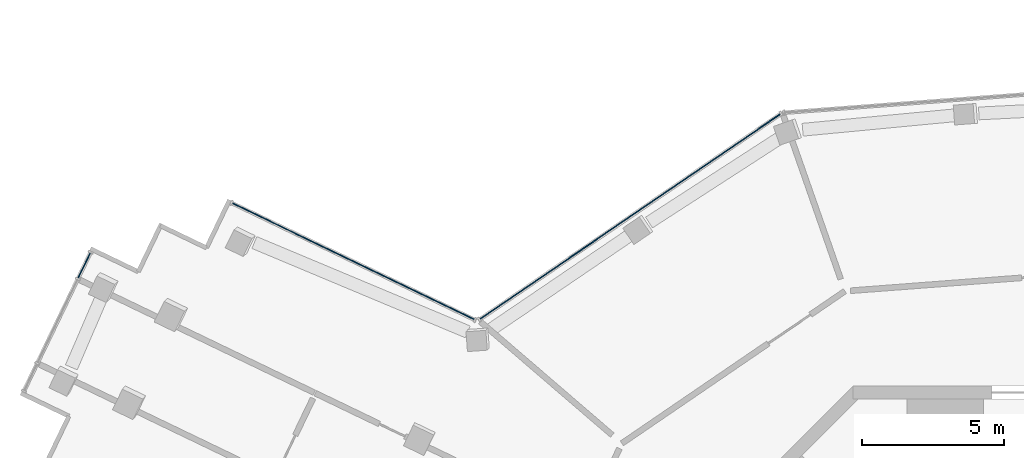
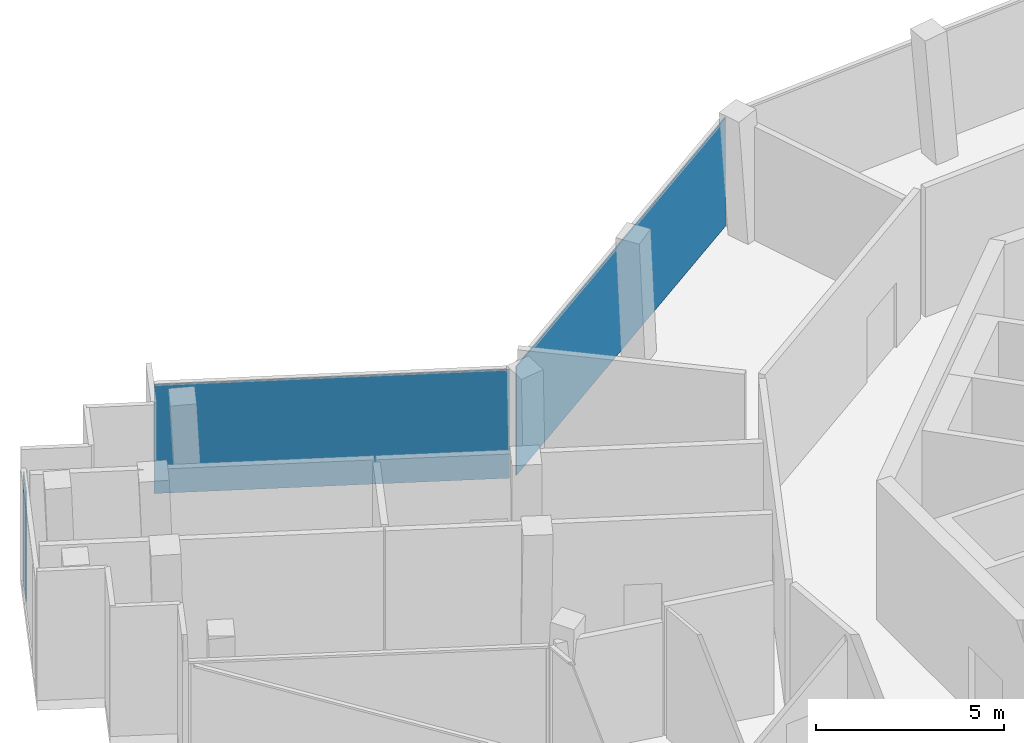
# One storey, part 10 of 19: 3 plates, 3 elements without a shape of their own.
"""IFC4 building model written with IfcOpenShell, lengths in metres."""

from ifc_helpers import new_model, si_unit, direction, frame, origin, origin_2d, place, context, subcontext, project, spatial, rectangle, extrude, material, layer, layer_set, type_object, element, aggregate, save


model = new_model("IFC4")

# Units and contexts
model_context = context("Model", 3, precision=1e-05, world=origin(), true_north=direction((0.0, 1.0)))
body_context = subcontext(model_context, "Body", "Model", "MODEL_VIEW")
ifc_project = project(units=[si_unit("LENGTHUNIT", "METRE"), si_unit("AREAUNIT", "SQUARE_METRE"), si_unit("VOLUMEUNIT", "CUBIC_METRE"), si_unit("PLANEANGLEUNIT", "RADIAN"), si_unit("MASSUNIT", "GRAM", prefix="KILO")], contexts=[model_context])

# Site, building, storey
site_placement = place(None, origin())
site = spatial("IfcSite", under=ifc_project, at=site_placement, CompositionType="ELEMENT")
building_placement = place(site_placement, origin())
building = spatial("IfcBuilding", under=site, at=building_placement, Name="Verdalira Terraces Hotel", CompositionType="ELEMENT")
storey_placement = place(building_placement, frame((0.0, 0.0, 295.0)))
storey = spatial("IfcBuildingStorey", under=building, at=storey_placement, Name="L73", CompositionType="ELEMENT", Elevation=295.0)

# Curtain wall, plate
ifc_material_1 = material(Name="Clear glass", Category="glass")
ifc_layer_1 = layer(ifc_material_1, 0.179931640625)
ifc_layer_set_1 = layer_set([ifc_layer_1], Name="CW4 curtain wall")
curtain_wall_type = type_object("IfcCurtainWallType", Name="CW4 curtain wall", PredefinedType="NOTDEFINED", material=ifc_layer_set_1)
curtain_wall_1_placement = place(storey_placement, origin())
curtain_wall_1 = element("IfcCurtainWall", 1, at=curtain_wall_1_placement, inside=storey, type_object=curtain_wall_type, Name="CW4 curtain wall L73 edge 0", PredefinedType="NOTDEFINED")
ifc_material_2 = material(Name="Clear glass", Category="glass")
ifc_layer_2 = layer(ifc_material_2, 0.035888671875)
ifc_layer_set_2 = layer_set([ifc_layer_2], Name="CW4 glass unit 36")
plate_type = type_object("IfcPlateType", Name="CW4 glass unit 36", PredefinedType="CURTAIN_PANEL", material=ifc_layer_set_2)
plate_1_placement = place(storey_placement, frame((-23.409424, 18.401855, 0.0), z_axis=(0.0, 0.0, 1.0), x_axis=(-0.901228342, 0.433344523, 0.0)))
plate_1 = element("IfcPlate", 2, at=plate_1_placement, type_object=plate_type, Name="CW4 glass unit", PredefinedType="CURTAIN_PANEL", context=body_context, shape_type="SweptSolid", body=[
    extrude(rectangle(XDim=9.46167, YDim=0.035889, at=origin_2d()), origin(), (0.0, 0.0, 1.0), 3.52002),
])
aggregate(curtain_wall_1, [plate_1])

curtain_wall_2_placement = place(storey_placement, origin())
curtain_wall_2 = element("IfcCurtainWall", 3, at=curtain_wall_2_placement, inside=storey, type_object=curtain_wall_type, Name="CW4 curtain wall L73 edge 5", PredefinedType="NOTDEFINED")
plate_2_placement = place(storey_placement, frame((-32.897217, 18.252441, 0.0), z_axis=(0.0, 0.0, 1.0), x_axis=(-0.433344523, -0.901228342, 0.0)))
plate_2 = element("IfcPlate", 4, at=plate_2_placement, type_object=plate_type, Name="CW4 glass unit", PredefinedType="CURTAIN_PANEL", context=body_context, shape_type="SweptSolid", body=[
    extrude(rectangle(XDim=0.982422, YDim=0.035889, at=origin_2d()), origin(), (0.0, 0.0, 1.0), 3.52002),
])
aggregate(curtain_wall_2, [plate_2])

curtain_wall_3_placement = place(storey_placement, origin())
curtain_wall_3 = element("IfcCurtainWall", 5, at=curtain_wall_3_placement, inside=storey, type_object=curtain_wall_type, Name="CW4 curtain wall L73 edge 41", PredefinedType="NOTDEFINED")
plate_3_placement = place(storey_placement, frame((-13.652832, 19.979004, 0.0), z_axis=(0.0, 0.0, 1.0), x_axis=(-0.825901536, -0.563814377, 0.0)))
plate_3 = element("IfcPlate", 6, at=plate_3_placement, type_object=plate_type, Name="CW4 glass unit", PredefinedType="CURTAIN_PANEL", context=body_context, shape_type="SweptSolid", body=[
    extrude(rectangle(XDim=12.8125, YDim=0.035889, at=origin_2d()), origin(), (0.0, 0.0, 1.0), 3.52002),
])
aggregate(curtain_wall_3, [plate_3])

save(model, "model.ifc")
